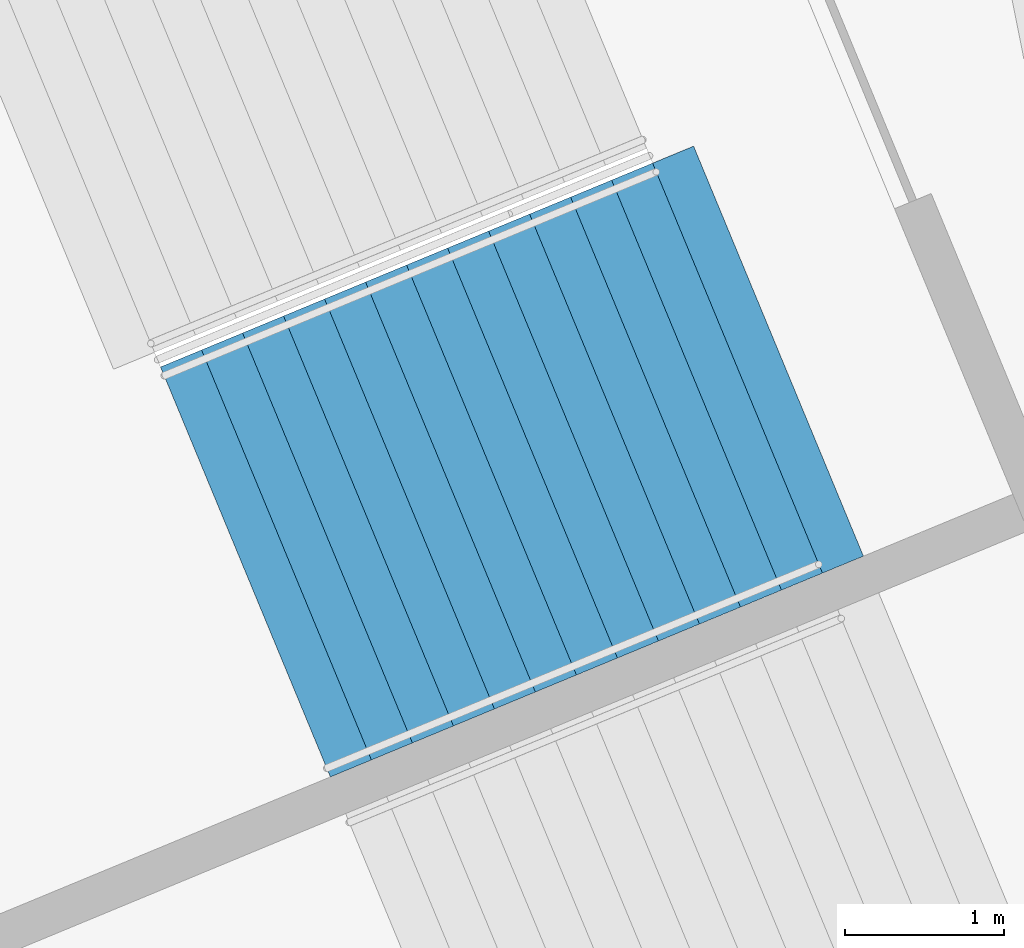
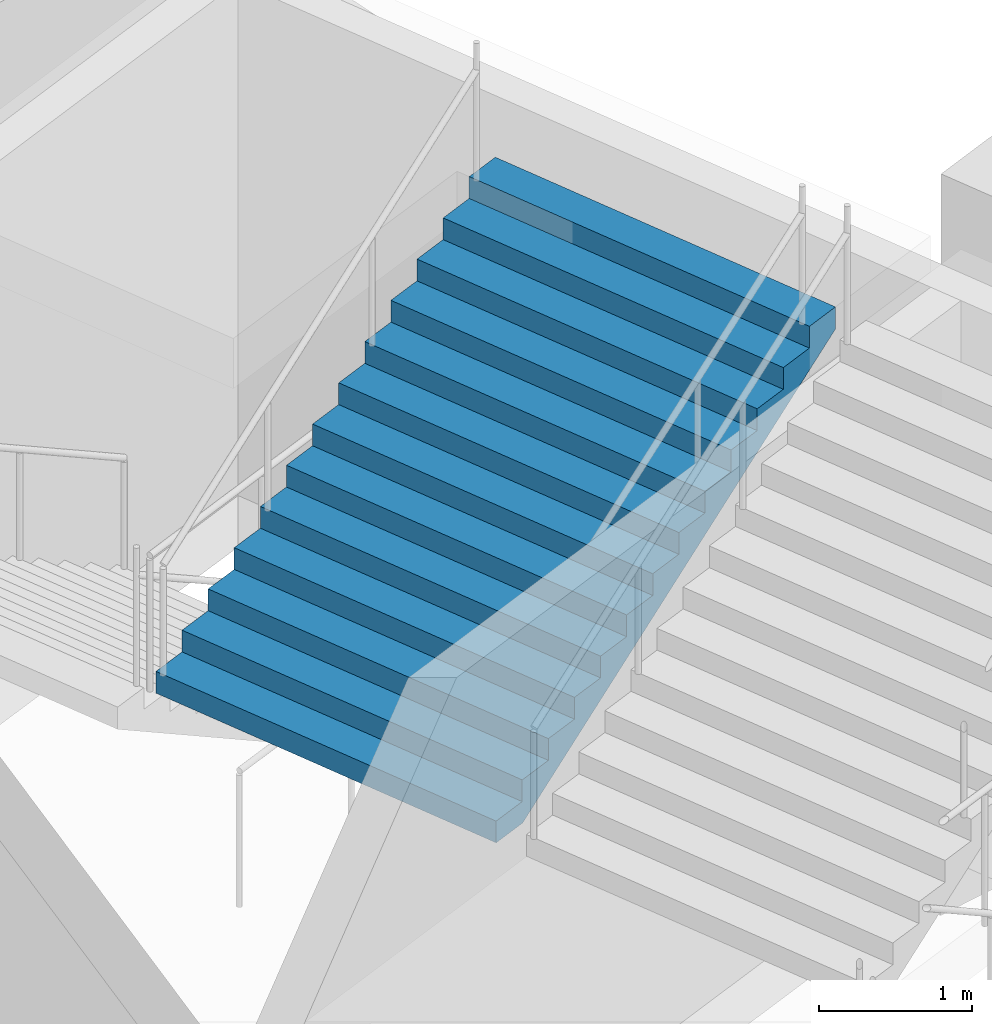
# One storey, part 93 of 177: 1 stair flight, 1 element without a shape of its own.
"""IFC4 building model written with IfcOpenShell, lengths in metres."""

from ifc_helpers import new_model, si_unit, direction, frame, origin, place, context, subcontext, project, spatial, faceted_brep, material, type_object, element, aggregate, save


model = new_model("IFC4")

# Units and contexts
model_context = context("Model", 3, precision=1e-05, world=origin(), true_north=direction((0.0, 1.0)))
body_context = subcontext(model_context, "Body", "Model", "MODEL_VIEW")
ifc_project = project(units=[si_unit("LENGTHUNIT", "METRE"), si_unit("AREAUNIT", "SQUARE_METRE"), si_unit("VOLUMEUNIT", "CUBIC_METRE"), si_unit("PLANEANGLEUNIT", "RADIAN"), si_unit("MASSUNIT", "GRAM", prefix="KILO")], contexts=[model_context])

# Site, building, storey
site_placement = place(None, origin())
site = spatial("IfcSite", under=ifc_project, at=site_placement, CompositionType="ELEMENT")
building_placement = place(site_placement, origin())
building = spatial("IfcBuilding", under=site, at=building_placement, Name="Ogive Plaza Stadium", CompositionType="ELEMENT")
storey_placement = place(building_placement, frame((0.0, 0.0, 18.0)))
storey = spatial("IfcBuildingStorey", under=building, at=storey_placement, Name="L04", CompositionType="ELEMENT", Elevation=18.0)

# Stair, stair flight
ifc_material_1 = material(Name="Concrete C40/50", Category="concrete")
stair_type = type_object("IfcStairType", Name="Exit stair", PredefinedType="STRAIGHT_RUN_STAIR", material=ifc_material_1)
stair_placement = place(storey_placement, origin())
stair = element("IfcStair", 1, at=stair_placement, inside=storey, type_object=stair_type, Name="Exit stair ST20A L04 to L05", PredefinedType="STRAIGHT_RUN_STAIR")
ifc_material_2 = material(Name="Concrete C40/50", Category="concrete")
stair_flight_type = type_object("IfcStairFlightType", Name="Exit stair flight", PredefinedType="STRAIGHT", material=ifc_material_2)
stair_flight_placement = place(storey_placement, frame((-76.814208984375, -68.58349609375, 2.25), z_axis=(0.0, 0.0, 1.0), x_axis=(0.923879532511, 0.382683432365, 0.0)))
stair_flight = element("IfcStairFlight", 2, at=stair_flight_placement, type_object=stair_flight_type, Name="ST20A flight 2", NumberOfRisers=13, NumberOfTreads=12, PredefinedType="STRAIGHT", RiserHeight=0.173076923, TreadLength=0.28, context=body_context, shape_type="Brep", body=[
    faceted_brep([(0.28515625, -1.39990234375, 0.0), (3.639892578125, -1.39990234375, 2.07373046875), (3.639892578125, -1.39990234375, 2.25), (3.360107421875, -1.39990234375, 2.25), (3.360107421875, -1.39990234375, 2.076904296875), (3.080078125, -1.39990234375, 2.076904296875), (3.080078125, -1.39990234375, 1.90380859375), (2.800048828125, -1.39990234375, 1.90380859375), (2.800048828125, -1.39990234375, 1.730712890625), (2.52001953125, -1.39990234375, 1.730712890625), (2.52001953125, -1.39990234375, 1.5576171875), (2.239990234375, -1.39990234375, 1.5576171875), (2.239990234375, -1.39990234375, 1.384521484375), (1.9599609375, -1.39990234375, 1.384521484375), (1.9599609375, -1.39990234375, 1.21142578125), (1.679931640625, -1.39990234375, 1.21142578125), (1.679931640625, -1.39990234375, 1.03857421875), (1.39990234375, -1.39990234375, 1.03857421875), (1.39990234375, -1.39990234375, 0.865478515625), (1.1201171875, -1.39990234375, 0.865478515625), (1.1201171875, -1.39990234375, 0.6923828125), (0.840087890625, -1.39990234375, 0.6923828125), (0.840087890625, -1.39990234375, 0.519287109375), (0.56005859375, -1.39990234375, 0.519287109375), (0.56005859375, -1.39990234375, 0.34619140625), (0.280029296875, -1.39990234375, 0.34619140625), (0.280029296875, -1.39990234375, 0.173095703125), (0.0, -1.39990234375, 0.173095703125), (0.0, -1.39990234375, 0.0), (0.0, 1.39990234375, 0.0), (0.0, 1.39990234375, 0.173095703125), (0.280029296875, 1.39990234375, 0.173095703125), (0.280029296875, 1.39990234375, 0.34619140625), (0.56005859375, 1.39990234375, 0.34619140625), (0.56005859375, 1.39990234375, 0.519287109375), (0.840087890625, 1.39990234375, 0.519287109375), (0.840087890625, 1.39990234375, 0.6923828125), (1.1201171875, 1.39990234375, 0.6923828125), (1.1201171875, 1.39990234375, 0.865478515625), (1.39990234375, 1.39990234375, 0.865478515625), (1.39990234375, 1.39990234375, 1.03857421875), (1.679931640625, 1.39990234375, 1.03857421875), (1.679931640625, 1.39990234375, 1.21142578125), (1.9599609375, 1.39990234375, 1.21142578125), (1.9599609375, 1.39990234375, 1.384521484375), (2.239990234375, 1.39990234375, 1.384521484375), (2.239990234375, 1.39990234375, 1.5576171875), (2.52001953125, 1.39990234375, 1.5576171875), (2.52001953125, 1.39990234375, 1.730712890625), (2.800048828125, 1.39990234375, 1.730712890625), (2.800048828125, 1.39990234375, 1.90380859375), (3.080078125, 1.39990234375, 1.90380859375), (3.080078125, 1.39990234375, 2.076904296875), (3.360107421875, 1.39990234375, 2.076904296875), (3.360107421875, 1.39990234375, 2.25), (3.639892578125, 1.39990234375, 2.25), (3.639892578125, 1.39990234375, 2.07373046875), (0.28515625, 1.39990234375, 0.0), (0.28515625, -1.0888671875, 0.0), (3.639892578125, -1.0888671875, 2.07373046875), (0.28515625, -0.77783203125, 0.0), (3.639892578125, -0.77783203125, 2.07373046875), (0.28515625, -0.466796875, 0.0), (3.639892578125, -0.466796875, 2.07373046875), (0.28515625, -0.155517578125, 0.0), (3.639892578125, -0.155517578125, 2.07373046875), (0.28515625, 0.155517578125, 0.0), (3.639892578125, 0.155517578125, 2.07373046875), (0.28515625, 0.466796875, 0.0), (3.639892578125, 0.466796875, 2.07373046875), (0.28515625, 0.77783203125, 0.0), (3.639892578125, 0.77783203125, 2.07373046875), (0.28515625, 1.0888671875, 0.0), (3.639892578125, 1.0888671875, 2.07373046875), (3.639892578125, -1.0888671875, 2.25), (3.639892578125, -0.77783203125, 2.25), (3.639892578125, -0.466796875, 2.25), (3.639892578125, -0.155517578125, 2.25), (3.639892578125, 0.155517578125, 2.25), (3.639892578125, 0.466796875, 2.25), (3.639892578125, 0.77783203125, 2.25), (3.639892578125, 1.0888671875, 2.25), (3.360107421875, -1.0888671875, 2.25), (3.360107421875, -0.77783203125, 2.25), (3.360107421875, -0.466796875, 2.25), (3.360107421875, -0.155517578125, 2.25), (3.360107421875, 0.155517578125, 2.25), (3.360107421875, 0.466796875, 2.25), (3.360107421875, 0.77783203125, 2.25), (3.360107421875, 1.0888671875, 2.25), (3.360107421875, -1.0888671875, 2.076904296875), (3.360107421875, -0.77783203125, 2.076904296875), (3.360107421875, -0.466796875, 2.076904296875), (3.360107421875, -0.155517578125, 2.076904296875), (3.360107421875, 0.155517578125, 2.076904296875), (3.360107421875, 0.466796875, 2.076904296875), (3.360107421875, 0.77783203125, 2.076904296875), (3.360107421875, 1.0888671875, 2.076904296875), (3.080078125, -1.0888671875, 2.076904296875), (3.080078125, -0.77783203125, 2.076904296875), (3.080078125, -0.466796875, 2.076904296875), (3.080078125, -0.155517578125, 2.076904296875), (3.080078125, 0.155517578125, 2.076904296875), (3.080078125, 0.466796875, 2.076904296875), (3.080078125, 0.77783203125, 2.076904296875), (3.080078125, 1.0888671875, 2.076904296875), (3.080078125, -1.0888671875, 1.90380859375), (3.080078125, -0.77783203125, 1.90380859375), (3.080078125, -0.466796875, 1.90380859375), (3.080078125, -0.155517578125, 1.90380859375), (3.080078125, 0.155517578125, 1.90380859375), (3.080078125, 0.466796875, 1.90380859375), (3.080078125, 0.77783203125, 1.90380859375), (3.080078125, 1.0888671875, 1.90380859375), (2.800048828125, -1.0888671875, 1.90380859375), (2.800048828125, -0.77783203125, 1.90380859375), (2.800048828125, -0.466796875, 1.90380859375), (2.800048828125, -0.155517578125, 1.90380859375), (2.800048828125, 0.155517578125, 1.90380859375), (2.800048828125, 0.466796875, 1.90380859375), (2.800048828125, 0.77783203125, 1.90380859375), (2.800048828125, 1.0888671875, 1.90380859375), (2.800048828125, -1.0888671875, 1.730712890625), (2.800048828125, -0.77783203125, 1.730712890625), (2.800048828125, -0.466796875, 1.730712890625), (2.800048828125, -0.155517578125, 1.730712890625), (2.800048828125, 0.155517578125, 1.730712890625), (2.800048828125, 0.466796875, 1.730712890625), (2.800048828125, 0.77783203125, 1.730712890625), (2.800048828125, 1.0888671875, 1.730712890625), (2.52001953125, -1.0888671875, 1.730712890625), (2.52001953125, -0.77783203125, 1.730712890625), (2.52001953125, -0.466796875, 1.730712890625), (2.52001953125, -0.155517578125, 1.730712890625), (2.52001953125, 0.155517578125, 1.730712890625), (2.52001953125, 0.466796875, 1.730712890625), (2.52001953125, 0.77783203125, 1.730712890625), (2.52001953125, 1.0888671875, 1.730712890625), (2.52001953125, -1.0888671875, 1.5576171875), (2.52001953125, -0.77783203125, 1.5576171875), (2.52001953125, -0.466796875, 1.5576171875), (2.52001953125, -0.155517578125, 1.5576171875), (2.52001953125, 0.155517578125, 1.5576171875), (2.52001953125, 0.466796875, 1.5576171875), (2.52001953125, 0.77783203125, 1.5576171875), (2.52001953125, 1.0888671875, 1.5576171875), (2.239990234375, -1.0888671875, 1.5576171875), (2.239990234375, -0.77783203125, 1.5576171875), (2.239990234375, -0.466796875, 1.5576171875), (2.239990234375, -0.155517578125, 1.5576171875), (2.239990234375, 0.155517578125, 1.5576171875), (2.239990234375, 0.466796875, 1.5576171875), (2.239990234375, 0.77783203125, 1.5576171875), (2.239990234375, 1.0888671875, 1.5576171875), (2.239990234375, -1.0888671875, 1.384521484375), (2.239990234375, -0.77783203125, 1.384521484375), (2.239990234375, -0.466796875, 1.384521484375), (2.239990234375, -0.155517578125, 1.384521484375), (2.239990234375, 0.155517578125, 1.384521484375), (2.239990234375, 0.466796875, 1.384521484375), (2.239990234375, 0.77783203125, 1.384521484375), (2.239990234375, 1.0888671875, 1.384521484375), (1.9599609375, -1.0888671875, 1.384521484375), (1.9599609375, -0.77783203125, 1.384521484375), (1.9599609375, -0.466796875, 1.384521484375), (1.9599609375, -0.155517578125, 1.384521484375), (1.9599609375, 0.155517578125, 1.384521484375), (1.9599609375, 0.466796875, 1.384521484375), (1.9599609375, 0.77783203125, 1.384521484375), (1.9599609375, 1.0888671875, 1.384521484375), (1.9599609375, -1.0888671875, 1.21142578125), (1.9599609375, -0.77783203125, 1.21142578125), (1.9599609375, -0.466796875, 1.21142578125), (1.9599609375, -0.155517578125, 1.21142578125), (1.9599609375, 0.155517578125, 1.21142578125), (1.9599609375, 0.466796875, 1.21142578125), (1.9599609375, 0.77783203125, 1.21142578125), (1.9599609375, 1.0888671875, 1.21142578125), (1.679931640625, -1.0888671875, 1.21142578125), (1.679931640625, -0.77783203125, 1.21142578125), (1.679931640625, -0.466796875, 1.21142578125), (1.679931640625, -0.155517578125, 1.21142578125), (1.679931640625, 0.155517578125, 1.21142578125), (1.679931640625, 0.466796875, 1.21142578125), (1.679931640625, 0.77783203125, 1.21142578125), (1.679931640625, 1.0888671875, 1.21142578125), (1.679931640625, -1.0888671875, 1.03857421875), (1.679931640625, -0.77783203125, 1.03857421875), (1.679931640625, -0.466796875, 1.03857421875), (1.679931640625, -0.155517578125, 1.03857421875), (1.679931640625, 0.155517578125, 1.03857421875), (1.679931640625, 0.466796875, 1.03857421875), (1.679931640625, 0.77783203125, 1.03857421875), (1.679931640625, 1.0888671875, 1.03857421875), (1.39990234375, -1.0888671875, 1.03857421875), (1.39990234375, -0.77783203125, 1.03857421875), (1.39990234375, -0.466796875, 1.03857421875), (1.39990234375, -0.155517578125, 1.03857421875), (1.39990234375, 0.155517578125, 1.03857421875), (1.39990234375, 0.466796875, 1.03857421875), (1.39990234375, 0.77783203125, 1.03857421875), (1.39990234375, 1.0888671875, 1.03857421875), (1.39990234375, -1.0888671875, 0.865478515625), (1.39990234375, -0.77783203125, 0.865478515625), (1.39990234375, -0.466796875, 0.865478515625), (1.39990234375, -0.155517578125, 0.865478515625), (1.39990234375, 0.155517578125, 0.865478515625), (1.39990234375, 0.466796875, 0.865478515625), (1.39990234375, 0.77783203125, 0.865478515625), (1.39990234375, 1.0888671875, 0.865478515625), (1.1201171875, -1.0888671875, 0.865478515625), (1.1201171875, -0.77783203125, 0.865478515625), (1.1201171875, -0.466796875, 0.865478515625), (1.1201171875, -0.155517578125, 0.865478515625), (1.1201171875, 0.155517578125, 0.865478515625), (1.1201171875, 0.466796875, 0.865478515625), (1.1201171875, 0.77783203125, 0.865478515625), (1.1201171875, 1.0888671875, 0.865478515625), (1.1201171875, -1.0888671875, 0.6923828125), (1.1201171875, -0.77783203125, 0.6923828125), (1.1201171875, -0.466796875, 0.6923828125), (1.1201171875, -0.155517578125, 0.6923828125), (1.1201171875, 0.155517578125, 0.6923828125), (1.1201171875, 0.466796875, 0.6923828125), (1.1201171875, 0.77783203125, 0.6923828125), (1.1201171875, 1.0888671875, 0.6923828125), (0.840087890625, -1.0888671875, 0.6923828125), (0.840087890625, -0.77783203125, 0.6923828125), (0.840087890625, -0.466796875, 0.6923828125), (0.840087890625, -0.155517578125, 0.6923828125), (0.840087890625, 0.155517578125, 0.6923828125), (0.840087890625, 0.466796875, 0.6923828125), (0.840087890625, 0.77783203125, 0.6923828125), (0.840087890625, 1.0888671875, 0.6923828125), (0.840087890625, -1.0888671875, 0.519287109375), (0.840087890625, -0.77783203125, 0.519287109375), (0.840087890625, -0.466796875, 0.519287109375), (0.840087890625, -0.155517578125, 0.519287109375), (0.840087890625, 0.155517578125, 0.519287109375), (0.840087890625, 0.466796875, 0.519287109375), (0.840087890625, 0.77783203125, 0.519287109375), (0.840087890625, 1.0888671875, 0.519287109375), (0.56005859375, -1.0888671875, 0.519287109375), (0.56005859375, -0.77783203125, 0.519287109375), (0.56005859375, -0.466796875, 0.519287109375), (0.56005859375, -0.155517578125, 0.519287109375), (0.56005859375, 0.155517578125, 0.519287109375), (0.56005859375, 0.466796875, 0.519287109375), (0.56005859375, 0.77783203125, 0.519287109375), (0.56005859375, 1.0888671875, 0.519287109375), (0.56005859375, -1.0888671875, 0.34619140625), (0.56005859375, -0.77783203125, 0.34619140625), (0.56005859375, -0.466796875, 0.34619140625), (0.56005859375, -0.155517578125, 0.34619140625), (0.56005859375, 0.155517578125, 0.34619140625), (0.56005859375, 0.466796875, 0.34619140625), (0.56005859375, 0.77783203125, 0.34619140625), (0.56005859375, 1.0888671875, 0.34619140625), (0.280029296875, -1.0888671875, 0.34619140625), (0.280029296875, -0.77783203125, 0.34619140625), (0.280029296875, -0.466796875, 0.34619140625), (0.280029296875, -0.155517578125, 0.34619140625), (0.280029296875, 0.155517578125, 0.34619140625), (0.280029296875, 0.466796875, 0.34619140625), (0.280029296875, 0.77783203125, 0.34619140625), (0.280029296875, 1.0888671875, 0.34619140625), (0.280029296875, -1.0888671875, 0.173095703125), (0.280029296875, -0.77783203125, 0.173095703125), (0.280029296875, -0.466796875, 0.173095703125), (0.280029296875, -0.155517578125, 0.173095703125), (0.280029296875, 0.155517578125, 0.173095703125), (0.280029296875, 0.466796875, 0.173095703125), (0.280029296875, 0.77783203125, 0.173095703125), (0.280029296875, 1.0888671875, 0.173095703125), (0.0, -1.0888671875, 0.173095703125), (0.0, -0.77783203125, 0.173095703125), (0.0, -0.466796875, 0.173095703125), (0.0, -0.155517578125, 0.173095703125), (0.0, 0.155517578125, 0.173095703125), (0.0, 0.466796875, 0.173095703125), (0.0, 0.77783203125, 0.173095703125), (0.0, 1.0888671875, 0.173095703125), (0.0, -1.0888671875, 0.0), (0.0, -0.77783203125, 0.0), (0.0, -0.466796875, 0.0), (0.0, -0.155517578125, 0.0), (0.0, 0.155517578125, 0.0), (0.0, 0.466796875, 0.0), (0.0, 0.77783203125, 0.0), (0.0, 1.0888671875, 0.0)], [[[0, 1, 2, 3, 4, 5, 6, 7, 8, 9, 10, 11, 12, 13, 14, 15, 16, 17, 18, 19, 20, 21, 22, 23, 24, 25, 26, 27, 28]], [[29, 30, 31, 32, 33, 34, 35, 36, 37, 38, 39, 40, 41, 42, 43, 44, 45, 46, 47, 48, 49, 50, 51, 52, 53, 54, 55, 56, 57]], [[0, 58, 59, 1]], [[58, 60, 61, 59]], [[60, 62, 63, 61]], [[62, 64, 65, 63]], [[64, 66, 67, 65]], [[66, 68, 69, 67]], [[68, 70, 71, 69]], [[70, 72, 73, 71]], [[72, 57, 56, 73]], [[1, 59, 74, 2]], [[59, 61, 75, 74]], [[61, 63, 76, 75]], [[63, 65, 77, 76]], [[65, 67, 78, 77]], [[67, 69, 79, 78]], [[69, 71, 80, 79]], [[71, 73, 81, 80]], [[73, 56, 55, 81]], [[2, 74, 82, 3]], [[74, 75, 83, 82]], [[75, 76, 84, 83]], [[76, 77, 85, 84]], [[77, 78, 86, 85]], [[78, 79, 87, 86]], [[79, 80, 88, 87]], [[80, 81, 89, 88]], [[81, 55, 54, 89]], [[3, 82, 90, 4]], [[82, 83, 91, 90]], [[83, 84, 92, 91]], [[84, 85, 93, 92]], [[85, 86, 94, 93]], [[86, 87, 95, 94]], [[87, 88, 96, 95]], [[88, 89, 97, 96]], [[89, 54, 53, 97]], [[4, 90, 98, 5]], [[90, 91, 99, 98]], [[91, 92, 100, 99]], [[92, 93, 101, 100]], [[93, 94, 102, 101]], [[94, 95, 103, 102]], [[95, 96, 104, 103]], [[96, 97, 105, 104]], [[97, 53, 52, 105]], [[5, 98, 106, 6]], [[98, 99, 107, 106]], [[99, 100, 108, 107]], [[100, 101, 109, 108]], [[101, 102, 110, 109]], [[102, 103, 111, 110]], [[103, 104, 112, 111]], [[104, 105, 113, 112]], [[105, 52, 51, 113]], [[6, 106, 114, 7]], [[106, 107, 115, 114]], [[107, 108, 116, 115]], [[108, 109, 117, 116]], [[109, 110, 118, 117]], [[110, 111, 119, 118]], [[111, 112, 120, 119]], [[112, 113, 121, 120]], [[113, 51, 50, 121]], [[7, 114, 122, 8]], [[114, 115, 123, 122]], [[115, 116, 124, 123]], [[116, 117, 125, 124]], [[117, 118, 126, 125]], [[118, 119, 127, 126]], [[119, 120, 128, 127]], [[120, 121, 129, 128]], [[121, 50, 49, 129]], [[8, 122, 130, 9]], [[122, 123, 131, 130]], [[123, 124, 132, 131]], [[124, 125, 133, 132]], [[125, 126, 134, 133]], [[126, 127, 135, 134]], [[127, 128, 136, 135]], [[128, 129, 137, 136]], [[129, 49, 48, 137]], [[9, 130, 138, 10]], [[130, 131, 139, 138]], [[131, 132, 140, 139]], [[132, 133, 141, 140]], [[133, 134, 142, 141]], [[134, 135, 143, 142]], [[135, 136, 144, 143]], [[136, 137, 145, 144]], [[137, 48, 47, 145]], [[10, 138, 146, 11]], [[138, 139, 147, 146]], [[139, 140, 148, 147]], [[140, 141, 149, 148]], [[141, 142, 150, 149]], [[142, 143, 151, 150]], [[143, 144, 152, 151]], [[144, 145, 153, 152]], [[145, 47, 46, 153]], [[11, 146, 154, 12]], [[146, 147, 155, 154]], [[147, 148, 156, 155]], [[148, 149, 157, 156]], [[149, 150, 158, 157]], [[150, 151, 159, 158]], [[151, 152, 160, 159]], [[152, 153, 161, 160]], [[153, 46, 45, 161]], [[12, 154, 162, 13]], [[154, 155, 163, 162]], [[155, 156, 164, 163]], [[156, 157, 165, 164]], [[157, 158, 166, 165]], [[158, 159, 167, 166]], [[159, 160, 168, 167]], [[160, 161, 169, 168]], [[161, 45, 44, 169]], [[13, 162, 170, 14]], [[162, 163, 171, 170]], [[163, 164, 172, 171]], [[164, 165, 173, 172]], [[165, 166, 174, 173]], [[166, 167, 175, 174]], [[167, 168, 176, 175]], [[168, 169, 177, 176]], [[169, 44, 43, 177]], [[14, 170, 178, 15]], [[170, 171, 179, 178]], [[171, 172, 180, 179]], [[172, 173, 181, 180]], [[173, 174, 182, 181]], [[174, 175, 183, 182]], [[175, 176, 184, 183]], [[176, 177, 185, 184]], [[177, 43, 42, 185]], [[15, 178, 186, 16]], [[178, 179, 187, 186]], [[179, 180, 188, 187]], [[180, 181, 189, 188]], [[181, 182, 190, 189]], [[182, 183, 191, 190]], [[183, 184, 192, 191]], [[184, 185, 193, 192]], [[185, 42, 41, 193]], [[16, 186, 194, 17]], [[186, 187, 195, 194]], [[187, 188, 196, 195]], [[188, 189, 197, 196]], [[189, 190, 198, 197]], [[190, 191, 199, 198]], [[191, 192, 200, 199]], [[192, 193, 201, 200]], [[193, 41, 40, 201]], [[17, 194, 202, 18]], [[194, 195, 203, 202]], [[195, 196, 204, 203]], [[196, 197, 205, 204]], [[197, 198, 206, 205]], [[198, 199, 207, 206]], [[199, 200, 208, 207]], [[200, 201, 209, 208]], [[201, 40, 39, 209]], [[18, 202, 210, 19]], [[202, 203, 211, 210]], [[203, 204, 212, 211]], [[204, 205, 213, 212]], [[205, 206, 214, 213]], [[206, 207, 215, 214]], [[207, 208, 216, 215]], [[208, 209, 217, 216]], [[209, 39, 38, 217]], [[19, 210, 218, 20]], [[210, 211, 219, 218]], [[211, 212, 220, 219]], [[212, 213, 221, 220]], [[213, 214, 222, 221]], [[214, 215, 223, 222]], [[215, 216, 224, 223]], [[216, 217, 225, 224]], [[217, 38, 37, 225]], [[20, 218, 226, 21]], [[218, 219, 227, 226]], [[219, 220, 228, 227]], [[220, 221, 229, 228]], [[221, 222, 230, 229]], [[222, 223, 231, 230]], [[223, 224, 232, 231]], [[224, 225, 233, 232]], [[225, 37, 36, 233]], [[21, 226, 234, 22]], [[226, 227, 235, 234]], [[227, 228, 236, 235]], [[228, 229, 237, 236]], [[229, 230, 238, 237]], [[230, 231, 239, 238]], [[231, 232, 240, 239]], [[232, 233, 241, 240]], [[233, 36, 35, 241]], [[22, 234, 242, 23]], [[234, 235, 243, 242]], [[235, 236, 244, 243]], [[236, 237, 245, 244]], [[237, 238, 246, 245]], [[238, 239, 247, 246]], [[239, 240, 248, 247]], [[240, 241, 249, 248]], [[241, 35, 34, 249]], [[23, 242, 250, 24]], [[242, 243, 251, 250]], [[243, 244, 252, 251]], [[244, 245, 253, 252]], [[245, 246, 254, 253]], [[246, 247, 255, 254]], [[247, 248, 256, 255]], [[248, 249, 257, 256]], [[249, 34, 33, 257]], [[24, 250, 258, 25]], [[250, 251, 259, 258]], [[251, 252, 260, 259]], [[252, 253, 261, 260]], [[253, 254, 262, 261]], [[254, 255, 263, 262]], [[255, 256, 264, 263]], [[256, 257, 265, 264]], [[257, 33, 32, 265]], [[25, 258, 266, 26]], [[258, 259, 267, 266]], [[259, 260, 268, 267]], [[260, 261, 269, 268]], [[261, 262, 270, 269]], [[262, 263, 271, 270]], [[263, 264, 272, 271]], [[264, 265, 273, 272]], [[265, 32, 31, 273]], [[26, 266, 274, 27]], [[266, 267, 275, 274]], [[267, 268, 276, 275]], [[268, 269, 277, 276]], [[269, 270, 278, 277]], [[270, 271, 279, 278]], [[271, 272, 280, 279]], [[272, 273, 281, 280]], [[273, 31, 30, 281]], [[27, 274, 282, 28]], [[274, 275, 283, 282]], [[275, 276, 284, 283]], [[276, 277, 285, 284]], [[277, 278, 286, 285]], [[278, 279, 287, 286]], [[279, 280, 288, 287]], [[280, 281, 289, 288]], [[281, 30, 29, 289]], [[28, 282, 58, 0]], [[282, 283, 60, 58]], [[283, 284, 62, 60]], [[284, 285, 64, 62]], [[285, 286, 66, 64]], [[286, 287, 68, 66]], [[287, 288, 70, 68]], [[288, 289, 72, 70]], [[289, 29, 57, 72]]]),
])
aggregate(stair, [stair_flight])

save(model, "model.ifc")
